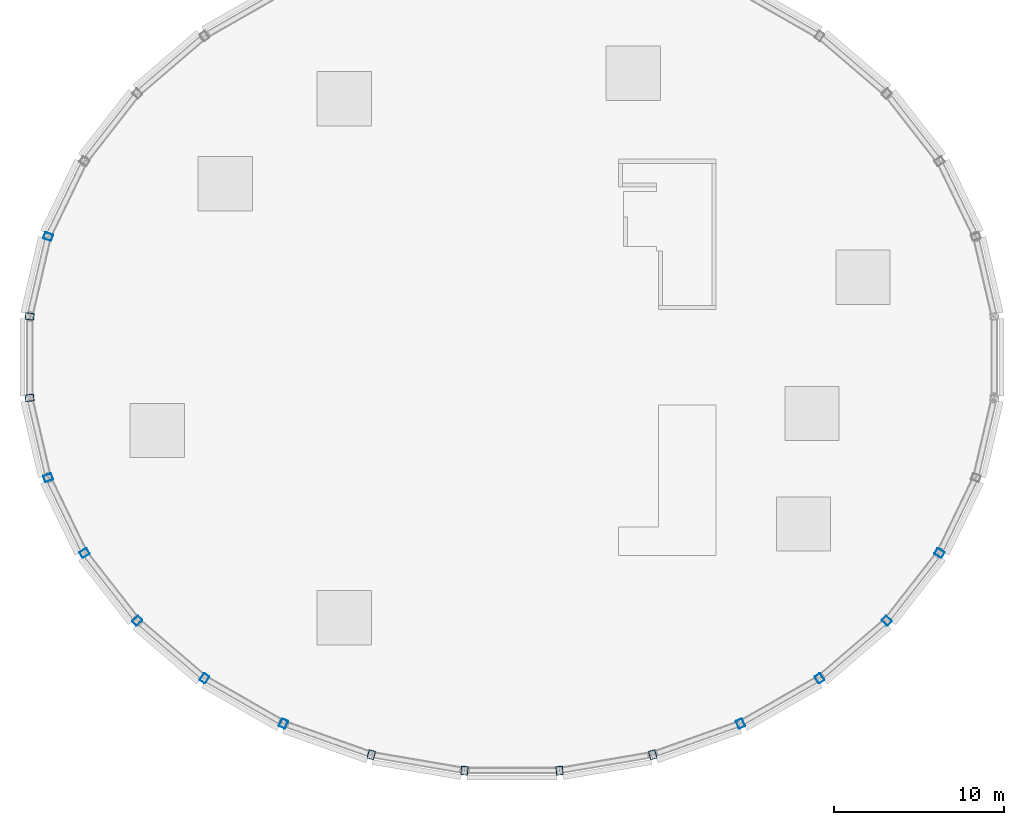
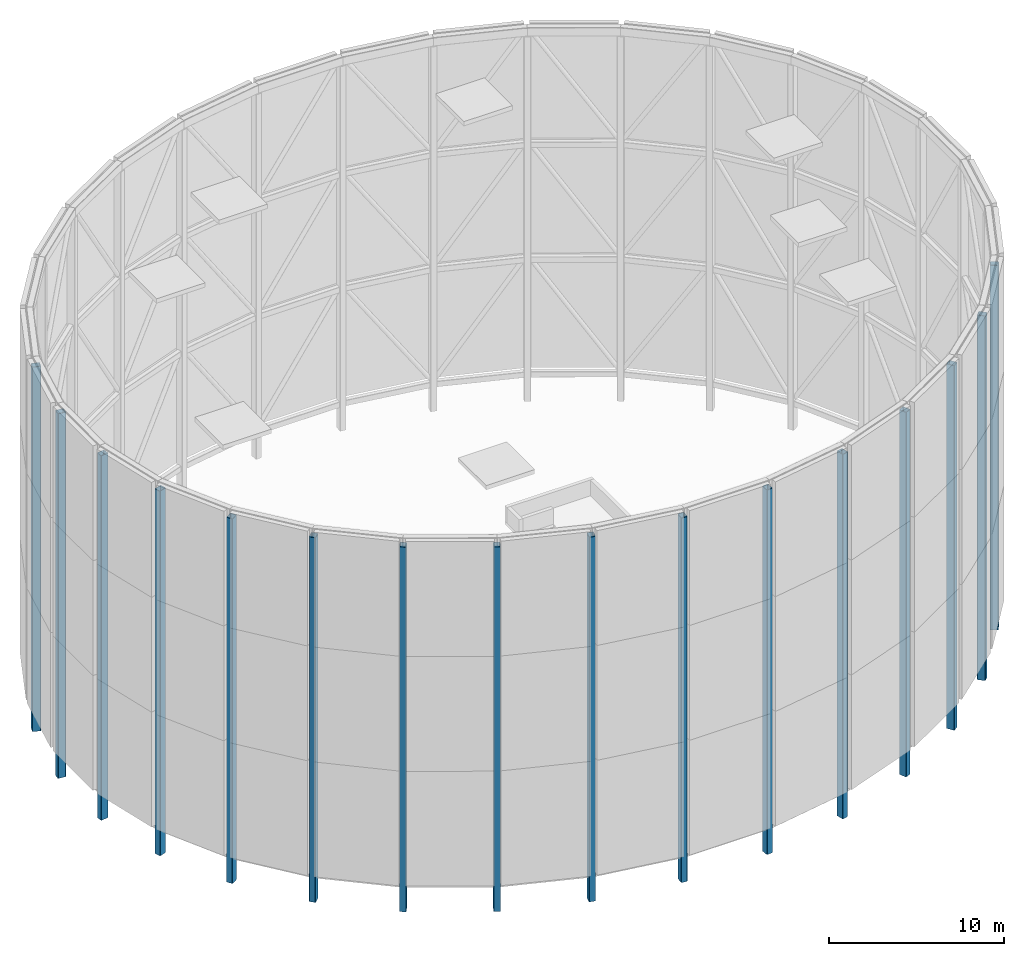
# One storey, part 1 of 8: 16 columns.
"""IFC4 building model written with IfcOpenShell, lengths in metres."""

from ifc_helpers import new_model, si_unit, direction, frame, origin, origin_2d, place, context, subcontext, project, spatial, hollow_rectangle, extrude, material, material_profile, profile_set, type_object, element, save


model = new_model("IFC4")

# Units and contexts
model_context = context("Model", 3, precision=1e-05, world=origin(), true_north=direction((0.0, 1.0)))
body_context = subcontext(model_context, "Body", "Model", "MODEL_VIEW")
ifc_project = project(units=[si_unit("LENGTHUNIT", "METRE"), si_unit("AREAUNIT", "SQUARE_METRE"), si_unit("VOLUMEUNIT", "CUBIC_METRE"), si_unit("PLANEANGLEUNIT", "RADIAN"), si_unit("MASSUNIT", "GRAM", prefix="KILO")], contexts=[model_context])

# Site, building, storey
site_placement = place(None, origin())
site = spatial("IfcSite", under=ifc_project, at=site_placement, CompositionType="ELEMENT")
building_placement = place(site_placement, origin())
building = spatial("IfcBuilding", under=site, at=building_placement, Name="Halqa Exchange Tower", CompositionType="ELEMENT")
storey_placement = place(building_placement, frame((0.0, 0.0, 355.300048828125)))
storey = spatial("IfcBuildingStorey", under=building, at=storey_placement, Name="Roof level crown frame", CompositionType="ELEMENT", Elevation=355.300048828125)

# Columns
ifc_material = material(Name="Steel S355", Category="steel")
ifc_material_profile = material_profile(ifc_material, hollow_rectangle(XDim=0.39990234375, YDim=0.5, WallThickness=0.02001953125, InnerFilletRadius=0.030029296875, OuterFilletRadius=0.0400390625, at=origin_2d()), Name="RHS 500x400x20")
ifc_profile_set = profile_set([ifc_material_profile], Name="Steel S355")
column_type = type_object("IfcColumnType", Name="CROWN FRAME column RHS 500x400x20", PredefinedType="COLUMN", material=ifc_profile_set)
for number, where, z_axis, x_axis, name in (
    (1, (-27.272705078125, 7.09130859375, 0.0), (0.0, 0.0, 1.0), (-0.333624233576, -0.942706142321, 0.0), "Crown frame column 15"),
    (2, (-28.36279296875, 2.394287109375, 0.0), (0.0, 0.0, 1.0), (-0.114160389816, -0.993462332148, 0.0), "Crown frame column 16"),
    (3, (-28.36279296875, -2.394287109375, 0.0), (0.0, 0.0, 1.0), (0.114160389816, -0.993462332148, 0.0), "Crown frame column 17"),
    (4, (-27.272705078125, -7.09130859375, 0.0), (0.0, 0.0, 1.0), (0.333624233576, -0.942706142321, 0.0), "Crown frame column 18"),
    (5, (-25.134765625, -11.515625, 0.0), (0.0, 0.0, 1.0), (0.529140496257, -0.848534227489, 0.0), "Crown frame column 19"),
    (6, (-22.03076171875, -15.497314453125, 0.0), (0.0, 0.0, 1.0), (0.691578612608, -0.722301199351, 0.0), "Crown frame column 20"),
    (7, (-18.080078125, -18.883544921875, 0.0), (0.0, 0.0, 1.0), (0.817906779671, -0.575350762377, 0.0), "Crown frame column 21"),
    (8, (-13.434814453125, -21.544189453125, 0.0), (0.0, 0.0, 1.0), (0.909128549752, -0.416515641994, 0.0), "Crown frame column 22"),
    (9, (-8.273193359375, -23.376708984375, 0.0), (0.0, 0.0, 1.0), (0.967819064366, -0.251647091481, 0.0), "Crown frame column 23"),
    (10, (-2.79345703125, -24.31103515625, 0.0), (0.0, 0.0, 1.0), (0.996455078514, -0.084126550533, 0.0), "Crown frame column 24"),
    (11, (2.79345703125, -24.31103515625, 0.0), (0.0, 0.0, 1.0), (0.996455078514, 0.084126550533, 0.0), "Crown frame column 25"),
    (12, (8.273193359375, -23.376708984375, 0.0), (0.0, 0.0, 1.0), (0.967819064366, 0.251647091481, 0.0), "Crown frame column 26"),
    (13, (13.434814453125, -21.544189453125, 0.0), (0.0, 0.0, 1.0), (0.909128549752, 0.416515641994, 0.0), "Crown frame column 27"),
    (14, (18.080078125, -18.883544921875, 0.0), (0.0, 0.0, 1.0), (0.817906779671, 0.575350762377, 0.0), "Crown frame column 28"),
    (15, (22.03076171875, -15.497314453125, 0.0), (0.0, 0.0, 1.0), (0.691578612608, 0.722301199351, 0.0), "Crown frame column 29"),
    (16, (25.134765625, -11.515625, 0.0), (0.0, 0.0, 1.0), (0.529140496257, 0.848534227489, 0.0), "Crown frame column 30"),
):
    element("IfcColumn", number, at=place(storey_placement, frame(where, z_axis=z_axis, x_axis=x_axis)), inside=storey, type_object=column_type, Name=name, PredefinedType="COLUMN", context=body_context, shape_type="SweptSolid", body=[
        extrude(hollow_rectangle(XDim=0.39990234375, YDim=0.5, WallThickness=0.02001953125, InnerFilletRadius=0.030029296875, OuterFilletRadius=0.0400390625, at=origin_2d()), origin(), (0.0, 0.0, 1.0), 25.39990234375),
    ])

save(model, "model.ifc")
